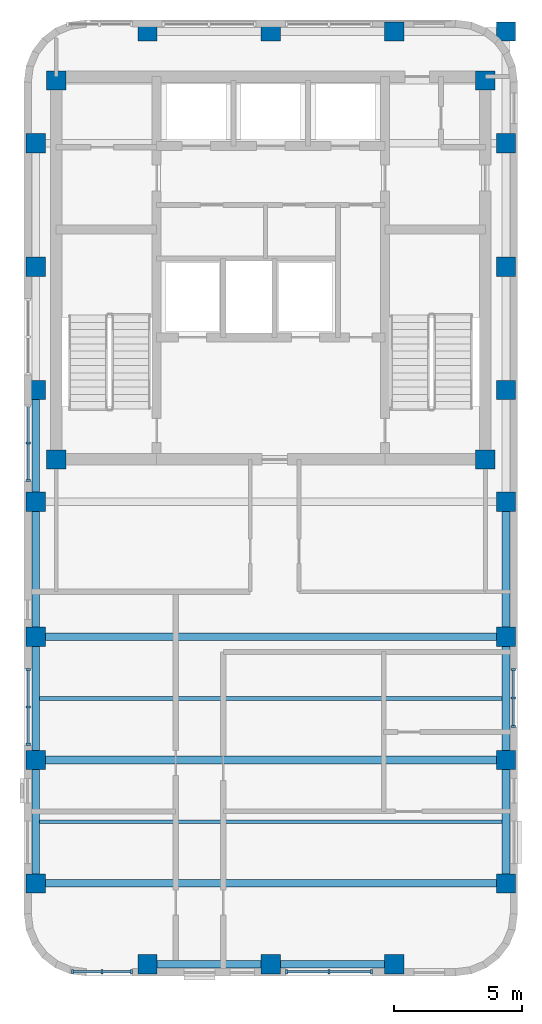
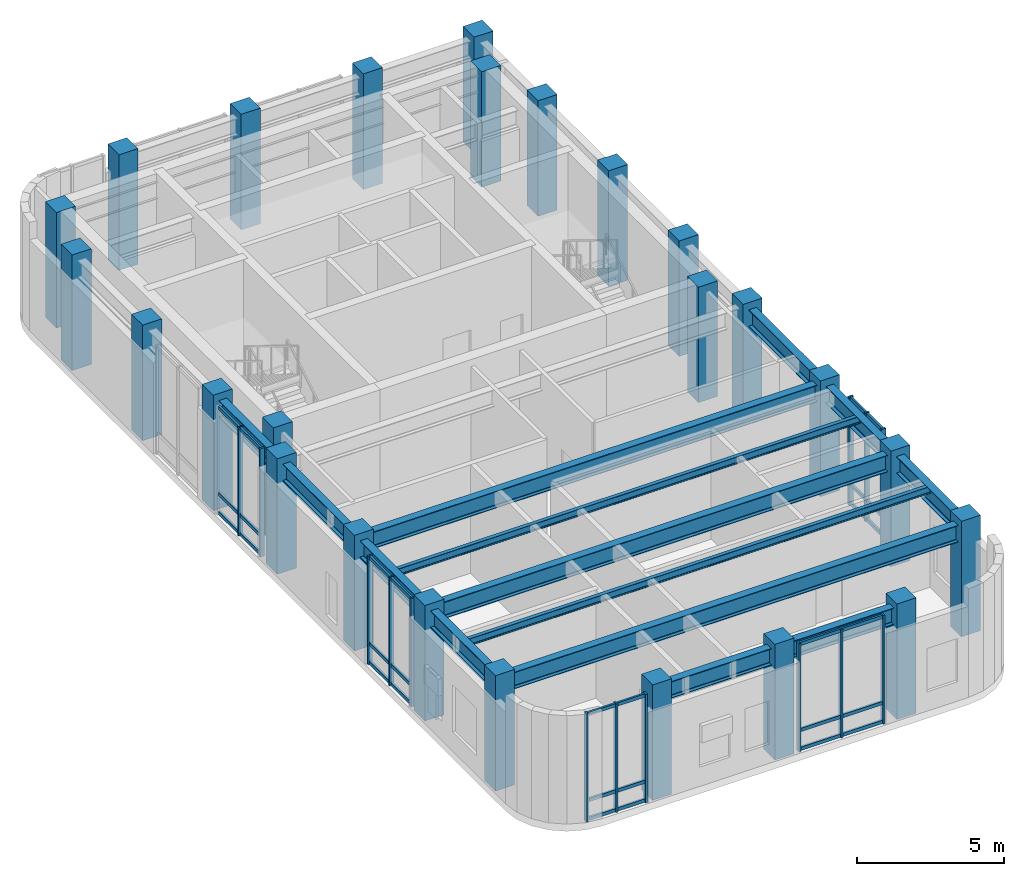
# One storey, part 1 of 8: 44 members, 25 columns, 14 beams, 5 elements without a shape of their own.
"""IFC4 building model written with IfcOpenShell, lengths in metres."""

from ifc_helpers import new_model, si_unit, direction, frame, origin, origin_2d, place, context, subcontext, project, spatial, rectangle, i_section, extrude, material, material_profile, profile_set, type_object, element, aggregate, save


model = new_model("IFC4")

# Units and contexts
model_context = context("Model", 3, precision=1e-05, world=origin(), true_north=direction((0.0, 1.0)))
body_context = subcontext(model_context, "Body", "Model", "MODEL_VIEW")
ifc_project = project(units=[si_unit("LENGTHUNIT", "METRE"), si_unit("AREAUNIT", "SQUARE_METRE"), si_unit("VOLUMEUNIT", "CUBIC_METRE"), si_unit("PLANEANGLEUNIT", "RADIAN"), si_unit("MASSUNIT", "GRAM", prefix="KILO")], contexts=[model_context])

# Site, building, storey
site_placement = place(None, origin())
site = spatial("IfcSite", under=ifc_project, at=site_placement, CompositionType="ELEMENT")
building_placement = place(site_placement, origin())
building = spatial("IfcBuilding", under=site, at=building_placement, Name="Orvandelia Arch Residences", CompositionType="ELEMENT")
storey_placement = place(building_placement, frame((0.0, 0.0, 291.39990234375)))
storey = spatial("IfcBuildingStorey", under=building, at=storey_placement, Name="L75", CompositionType="ELEMENT", Elevation=291.39990234375)

# Columns
ifc_material_1 = material(Name="Concrete C50/60", Category="concrete")
ifc_material_profile_1 = material_profile(ifc_material_1, rectangle(XDim=0.75, YDim=0.75, at=origin_2d()), Name="Concrete C50/60", Category="concrete")
ifc_profile_set_1 = profile_set([ifc_material_profile_1], Name="Concrete C50/60")
column_type = type_object("IfcColumnType", Name="COL-TWR-750", PredefinedType="COLUMN", material=ifc_profile_set_1)
for number, where, z_axis, x_axis, name in (
    (1, (5.25, 14.39990234375, 0.0), (0.0, 0.0, 1.0), (1.0, 0.0, 0.0), "Structural Column L75-W-W-144"),
    (2, (5.25, 19.199951171875, 0.0), (0.0, 0.0, 1.0), (1.0, 0.0, 0.0), "Structural Column L75-W-W-192"),
    (3, (5.25, 24.0, 0.0), (0.0, 0.0, 1.0), (1.0, 0.0, 0.0), "Structural Column L75-W-W-240"),
    (4, (5.25, 29.25, 0.0), (0.0, 0.0, 1.0), (1.0, 0.0, 0.0), "Structural Column L75-W-W-292"),
    (5, (5.25, 33.60009765625, 0.0), (0.0, 0.0, 1.0), (1.0, 0.0, 0.0), "Structural Column L75-W-W-336"),
    (6, (5.25, 38.39990234375, 0.0), (0.0, 0.0, 1.0), (1.0, 0.0, 0.0), "Structural Column L75-W-W-384"),
    (7, (5.25, 43.199951171875, 0.0), (0.0, 0.0, 1.0), (1.0, 0.0, 0.0), "Structural Column L75-W-W-432"),
    (8, (6.050048828125, 30.89990234375, 0.0), (0.0, 0.0, 1.0), (1.0, 0.0, 0.0), "Structural Column L75-CR-SW"),
    (9, (6.050048828125, 45.64990234375, 0.0), (0.0, 0.0, 1.0), (1.0, 0.0, 0.0), "Structural Column L75-CR-NW"),
    (10, (9.60009765625, 11.25, 0.0), (0.0, 0.0, 1.0), (1.0, 0.0, 0.0), "Structural Column L75-W-S-96"),
    (11, (9.60009765625, 47.550048828125, 0.0), (0.0, 0.0, 1.0), (1.0, 0.0, 0.0), "Structural Column L75-W-N-96"),
    (12, (14.39990234375, 11.25, 0.0), (0.0, 0.0, 1.0), (1.0, 0.0, 0.0), "Structural Column L75-W-S-144"),
    (13, (14.39990234375, 47.550048828125, 0.0), (0.0, 0.0, 1.0), (1.0, 0.0, 0.0), "Structural Column L75-W-N-144"),
    (14, (19.199951171875, 11.25, 0.0), (0.0, 0.0, 1.0), (1.0, 0.0, 0.0), "Structural Column L75-W-S-192"),
    (15, (19.199951171875, 47.550048828125, 0.0), (0.0, 0.0, 1.0), (1.0, 0.0, 0.0), "Structural Column L75-W-N-192"),
    (16, (22.75, 30.89990234375, 0.0), (0.0, 0.0, 1.0), (1.0, 0.0, 0.0), "Structural Column L75-CR-SE"),
    (17, (22.75, 45.64990234375, 0.0), (0.0, 0.0, 1.0), (1.0, 0.0, 0.0), "Structural Column L75-CR-NE"),
    (18, (23.550048828125, 14.39990234375, 0.0), (0.0, 0.0, 1.0), (1.0, 0.0, 0.0), "Structural Column L75-W-E-144"),
    (19, (23.550048828125, 19.199951171875, 0.0), (0.0, 0.0, 1.0), (1.0, 0.0, 0.0), "Structural Column L75-W-E-192"),
    (20, (23.550048828125, 24.0, 0.0), (0.0, 0.0, 1.0), (1.0, 0.0, 0.0), "Structural Column L75-W-E-240"),
    (21, (23.550048828125, 29.25, 0.0), (0.0, 0.0, 1.0), (1.0, 0.0, 0.0), "Structural Column L75-W-E-292"),
    (22, (23.550048828125, 33.60009765625, 0.0), (0.0, 0.0, 1.0), (1.0, 0.0, 0.0), "Structural Column L75-W-E-336"),
    (23, (23.550048828125, 38.39990234375, 0.0), (0.0, 0.0, 1.0), (1.0, 0.0, 0.0), "Structural Column L75-W-E-384"),
    (24, (23.550048828125, 43.199951171875, 0.0), (0.0, 0.0, 1.0), (1.0, 0.0, 0.0), "Structural Column L75-W-E-432"),
    (25, (23.550048828125, 47.550048828125, 0.0), (0.0, 0.0, 1.0), (1.0, 0.0, 0.0), "Structural Column L75-W-N-235"),
):
    element("IfcColumn", number, at=place(storey_placement, frame(where, z_axis=z_axis, x_axis=x_axis)), inside=storey, type_object=column_type, Name=name, PredefinedType="COLUMN", context=body_context, shape_type="SweptSolid", body=[
        extrude(rectangle(XDim=0.75, YDim=0.75, at=origin_2d()), origin(), (0.0, 0.0, 1.0), 4.800048828125),
    ])

# Beams
ifc_material_2 = material(Name="Structural Steel SM355 (355 MPa)", Category="steel")
ifc_material_profile_2 = material_profile(ifc_material_2, i_section(OverallWidth=0.300048828125, OverallDepth=0.699951171875, WebThickness=0.012939453125, FlangeThickness=0.02392578125, FilletRadius=0.02392578125, at=origin_2d()), Name="Structural Steel SM355 (355 MPa)", Category="steel")
ifc_profile_set_2 = profile_set([ifc_material_profile_2], Name="Structural Steel SM355 (355 MPa)")
beam_type_1 = type_object("IfcBeamType", Name="BM-GRD-H700", PredefinedType="BEAM", material=ifc_profile_set_2)
for number, where, z_axis, x_axis, name in (
    (26, (5.25, 14.39990234375, 4.150146484375), (0.0, 1.0, 0.0), (-1.0, 0.0, 0.0), "Structural Frame Beam L75-NS-001"),
    (27, (5.25, 19.199951171875, 4.150146484375), (0.0, 1.0, 0.0), (-1.0, 0.0, 0.0), "Structural Frame Beam L75-NS-002"),
):
    element("IfcBeam", number, at=place(storey_placement, frame(where, z_axis=z_axis, x_axis=x_axis)), inside=storey, type_object=beam_type_1, Name=name, PredefinedType="BEAM", context=body_context, shape_type="SweptSolid", body=[
        extrude(i_section(OverallWidth=0.300048828125, OverallDepth=0.699951171875, WebThickness=0.012939453125, FlangeThickness=0.02392578125, FilletRadius=0.02392578125, at=origin_2d()), origin(), (0.0, 0.0, 1.0), 4.800048828125),
    ])
beam_1_placement = place(storey_placement, frame((5.25, 24.0, 4.150146484375), z_axis=(0.0, 1.0, 0.0), x_axis=(-1.0, 0.0, 0.0)))
element("IfcBeam", 28, at=beam_1_placement, inside=storey, type_object=beam_type_1, Name="Structural Frame Beam L75-NS-003", PredefinedType="BEAM", context=body_context, shape_type="SweptSolid", body=[
    extrude(i_section(OverallWidth=0.300048828125, OverallDepth=0.699951171875, WebThickness=0.012939453125, FlangeThickness=0.02392578125, FilletRadius=0.02392578125, at=origin_2d()), origin(), (0.0, 0.0, 1.0), 5.25),
])
beam_2_placement = place(storey_placement, frame((5.25, 29.25, 4.150146484375), z_axis=(0.0, 1.0, 0.0), x_axis=(-1.0, 0.0, 0.0)))
element("IfcBeam", 29, at=beam_2_placement, inside=storey, type_object=beam_type_1, Name="Structural Frame Beam L75-NS-004", PredefinedType="BEAM", context=body_context, shape_type="SweptSolid", body=[
    extrude(i_section(OverallWidth=0.300048828125, OverallDepth=0.699951171875, WebThickness=0.012939453125, FlangeThickness=0.02392578125, FilletRadius=0.02392578125, at=origin_2d()), origin(), (0.0, 0.0, 1.0), 4.35009765625),
])
for number, where, z_axis, x_axis, name in (
    (30, (23.550048828125, 14.39990234375, 4.150146484375), (0.0, 1.0, 0.0), (-1.0, 0.0, 0.0), "Structural Frame Beam L75-NS-009"),
    (31, (23.550048828125, 19.199951171875, 4.150146484375), (0.0, 1.0, 0.0), (-1.0, 0.0, 0.0), "Structural Frame Beam L75-NS-010"),
):
    element("IfcBeam", number, at=place(storey_placement, frame(where, z_axis=z_axis, x_axis=x_axis)), inside=storey, type_object=beam_type_1, Name=name, PredefinedType="BEAM", context=body_context, shape_type="SweptSolid", body=[
        extrude(i_section(OverallWidth=0.300048828125, OverallDepth=0.699951171875, WebThickness=0.012939453125, FlangeThickness=0.02392578125, FilletRadius=0.02392578125, at=origin_2d()), origin(), (0.0, 0.0, 1.0), 4.800048828125),
    ])
beam_3_placement = place(storey_placement, frame((23.550048828125, 24.0, 4.150146484375), z_axis=(0.0, 1.0, 0.0), x_axis=(-1.0, 0.0, 0.0)))
element("IfcBeam", 32, at=beam_3_placement, inside=storey, type_object=beam_type_1, Name="Structural Frame Beam L75-NS-011", PredefinedType="BEAM", context=body_context, shape_type="SweptSolid", body=[
    extrude(i_section(OverallWidth=0.300048828125, OverallDepth=0.699951171875, WebThickness=0.012939453125, FlangeThickness=0.02392578125, FilletRadius=0.02392578125, at=origin_2d()), origin(), (0.0, 0.0, 1.0), 5.25),
])
beam_4_placement = place(storey_placement, frame((9.60009765625, 11.25, 4.150146484375), z_axis=(1.0, 0.0, 0.0), x_axis=(0.0, 1.0, 0.0)))
element("IfcBeam", 33, at=beam_4_placement, inside=storey, type_object=beam_type_1, Name="Structural Frame Girder L75-EW-016", PredefinedType="BEAM", context=body_context, shape_type="SweptSolid", body=[
    extrude(i_section(OverallWidth=0.300048828125, OverallDepth=0.699951171875, WebThickness=0.012939453125, FlangeThickness=0.02392578125, FilletRadius=0.02392578125, at=origin_2d()), origin(), (0.0, 0.0, 1.0), 4.7998046875),
])
beam_5_placement = place(storey_placement, frame((14.39990234375, 11.25, 4.150146484375), z_axis=(1.0, 0.0, 0.0), x_axis=(0.0, 1.0, 0.0)))
element("IfcBeam", 34, at=beam_5_placement, inside=storey, type_object=beam_type_1, Name="Structural Frame Girder L75-EW-017", PredefinedType="BEAM", context=body_context, shape_type="SweptSolid", body=[
    extrude(i_section(OverallWidth=0.300048828125, OverallDepth=0.699951171875, WebThickness=0.012939453125, FlangeThickness=0.02392578125, FilletRadius=0.02392578125, at=origin_2d()), origin(), (0.0, 0.0, 1.0), 4.800048828125),
])
for number, where, z_axis, x_axis, name in (
    (35, (5.25, 14.39990234375, 4.150146484375), (1.0, 0.0, 0.0), (0.0, 1.0, 0.0), "Structural Frame Girder L75-EW-018"),
    (36, (5.25, 19.199951171875, 4.150146484375), (1.0, 0.0, 0.0), (0.0, 1.0, 0.0), "Structural Frame Girder L75-EW-019"),
    (37, (5.25, 24.0, 4.150146484375), (1.0, 0.0, 0.0), (0.0, 1.0, 0.0), "Structural Frame Girder L75-EW-020"),
):
    element("IfcBeam", number, at=place(storey_placement, frame(where, z_axis=z_axis, x_axis=x_axis)), inside=storey, type_object=beam_type_1, Name=name, PredefinedType="BEAM", context=body_context, shape_type="SweptSolid", body=[
        extrude(i_section(OverallWidth=0.300048828125, OverallDepth=0.699951171875, WebThickness=0.012939453125, FlangeThickness=0.02392578125, FilletRadius=0.02392578125, at=origin_2d()), origin(), (0.0, 0.0, 1.0), 18.300048828125),
    ])
ifc_material_profile_3 = material_profile(ifc_material_2, i_section(OverallWidth=0.14990234375, OverallDepth=0.300048828125, WebThickness=0.006591796875, FlangeThickness=0.009033203125, FilletRadius=0.012939453125, at=origin_2d()), Name="Structural Steel SM355 (355 MPa)", Category="steel")
ifc_profile_set_3 = profile_set([ifc_material_profile_3], Name="Structural Steel SM355 (355 MPa)")
beam_type_2 = type_object("IfcBeamType", Name="BM-JST-H300", PredefinedType="JOIST", material=ifc_profile_set_3)
for number, where, z_axis, x_axis, name in (
    (38, (5.25, 16.800048828125, 4.35009765625), (1.0, 0.0, 0.0), (0.0, 1.0, 0.0), "Composite Floor Joist L75-J1"),
    (39, (5.25, 21.60009765625, 4.35009765625), (1.0, 0.0, 0.0), (0.0, 1.0, 0.0), "Composite Floor Joist L75-J2"),
):
    element("IfcBeam", number, at=place(storey_placement, frame(where, z_axis=z_axis, x_axis=x_axis)), inside=storey, type_object=beam_type_2, Name=name, PredefinedType="JOIST", context=body_context, shape_type="SweptSolid", body=[
        extrude(i_section(OverallWidth=0.14990234375, OverallDepth=0.300048828125, WebThickness=0.006591796875, FlangeThickness=0.009033203125, FilletRadius=0.012939453125, at=origin_2d()), origin(), (0.0, 0.0, 1.0), 18.300048828125),
    ])

# Curtain wall, members
ifc_material_3 = material(Name="Anodised Bronze Curtain Wall Assembly")
curtain_wall_type = type_object("IfcCurtainWallType", Name="CW-SYS6-OBSERV", PredefinedType="NOTDEFINED", material=ifc_material_3)
curtain_wall_1_placement = place(storey_placement, origin())
curtain_wall_1 = element("IfcCurtainWall", 40, at=curtain_wall_1_placement, inside=storey, type_object=curtain_wall_type, Name="Observatory South Curtain Wall 1", PredefinedType="NOTDEFINED")
ifc_material_4 = material(Name="Anodised Aluminium Alloy 6063-T6", Category="aluminium")
ifc_material_profile_4 = material_profile(ifc_material_4, rectangle(XDim=0.080078125, YDim=0.179931640625, at=origin_2d()), Name="Anodised Aluminium Alloy 6063-T6", Category="aluminium")
ifc_profile_set_4 = profile_set([ifc_material_profile_4], Name="Anodised Aluminium Alloy 6063-T6")
member_type_1 = type_object("IfcMemberType", Name="CW-MULLION-80x160", PredefinedType="MULLION", material=ifc_profile_set_4)
member_1_placement = place(storey_placement, frame((6.679931640625, 10.9599609375, 0.0), z_axis=(0.0, 0.0, 1.0), x_axis=(1.0, 0.0, 0.0)))
member_1 = element("IfcMember", 41, at=member_1_placement, type_object=member_type_1, Name="Curtain Wall Mullion CW-L75-1-M1", PredefinedType="MULLION", context=body_context, shape_type="SweptSolid", body=[
    extrude(rectangle(XDim=0.080078125, YDim=0.179931640625, at=origin_2d()), origin(), (0.0, 0.0, 1.0), 4.5),
])
member_2_placement = place(storey_placement, frame((7.83251953125, 10.9599609375, 0.0), z_axis=(0.0, 0.0, 1.0), x_axis=(1.0, 0.0, 0.0)))
member_2 = element("IfcMember", 42, at=member_2_placement, type_object=member_type_1, Name="Curtain Wall Mullion CW-L75-1-M2", PredefinedType="MULLION", context=body_context, shape_type="SweptSolid", body=[
    extrude(rectangle(XDim=0.080078125, YDim=0.179931640625, at=origin_2d()), origin(), (0.0, 0.0, 1.0), 4.5),
])
member_3_placement = place(storey_placement, frame((8.985107421875, 10.9599609375, 0.0), z_axis=(0.0, 0.0, 1.0), x_axis=(1.0, 0.0, 0.0)))
member_3 = element("IfcMember", 43, at=member_3_placement, type_object=member_type_1, Name="Curtain Wall Mullion CW-L75-1-M3", PredefinedType="MULLION", context=body_context, shape_type="SweptSolid", body=[
    extrude(rectangle(XDim=0.080078125, YDim=0.179931640625, at=origin_2d()), origin(), (0.0, 0.0, 1.0), 4.5),
])

curtain_wall_2_placement = place(storey_placement, origin())
curtain_wall_2 = element("IfcCurtainWall", 44, at=curtain_wall_2_placement, inside=storey, type_object=curtain_wall_type, Name="Observatory South Curtain Wall 2", PredefinedType="NOTDEFINED")
member_4_placement = place(storey_placement, frame((15.014892578125, 10.9599609375, 0.0), z_axis=(0.0, 0.0, 1.0), x_axis=(1.0, 0.0, 0.0)))
member_4 = element("IfcMember", 45, at=member_4_placement, type_object=member_type_1, Name="Curtain Wall Mullion CW-L75-2-M1", PredefinedType="MULLION", context=body_context, shape_type="SweptSolid", body=[
    extrude(rectangle(XDim=0.080078125, YDim=0.179931640625, at=origin_2d()), origin(), (0.0, 0.0, 1.0), 4.5),
])
member_5_placement = place(storey_placement, frame((16.66748046875, 10.9599609375, 0.0), z_axis=(0.0, 0.0, 1.0), x_axis=(1.0, 0.0, 0.0)))
member_5 = element("IfcMember", 46, at=member_5_placement, type_object=member_type_1, Name="Curtain Wall Mullion CW-L75-2-M2", PredefinedType="MULLION", context=body_context, shape_type="SweptSolid", body=[
    extrude(rectangle(XDim=0.080078125, YDim=0.179931640625, at=origin_2d()), origin(), (0.0, 0.0, 1.0), 4.5),
])
member_6_placement = place(storey_placement, frame((18.320068359375, 10.9599609375, 0.0), z_axis=(0.0, 0.0, 1.0), x_axis=(1.0, 0.0, 0.0)))
member_6 = element("IfcMember", 47, at=member_6_placement, type_object=member_type_1, Name="Curtain Wall Mullion CW-L75-2-M3", PredefinedType="MULLION", context=body_context, shape_type="SweptSolid", body=[
    extrude(rectangle(XDim=0.080078125, YDim=0.179931640625, at=origin_2d()), origin(), (0.0, 0.0, 1.0), 4.5),
])

curtain_wall_3_placement = place(storey_placement, origin())
curtain_wall_3 = element("IfcCurtainWall", 48, at=curtain_wall_3_placement, inside=storey, type_object=curtain_wall_type, Name="Observatory West Curtain Wall 3", PredefinedType="NOTDEFINED")
member_7_placement = place(storey_placement, frame((4.9599609375, 19.81494140625, 0.0), z_axis=(0.0, 0.0, 1.0), x_axis=(0.0, 1.0, 0.0)))
member_7 = element("IfcMember", 49, at=member_7_placement, type_object=member_type_1, Name="Curtain Wall Mullion CW-L75-3-M1", PredefinedType="MULLION", context=body_context, shape_type="SweptSolid", body=[
    extrude(rectangle(XDim=0.080078125, YDim=0.179931640625, at=origin_2d()), origin(), (0.0, 0.0, 1.0), 4.5),
])
member_8_placement = place(storey_placement, frame((4.9599609375, 21.267578125, 0.0), z_axis=(0.0, 0.0, 1.0), x_axis=(0.0, 1.0, 0.0)))
member_8 = element("IfcMember", 50, at=member_8_placement, type_object=member_type_1, Name="Curtain Wall Mullion CW-L75-3-M2", PredefinedType="MULLION", context=body_context, shape_type="SweptSolid", body=[
    extrude(rectangle(XDim=0.080078125, YDim=0.179931640625, at=origin_2d()), origin(), (0.0, 0.0, 1.0), 4.5),
])
member_9_placement = place(storey_placement, frame((4.9599609375, 22.719970703125, 0.0), z_axis=(0.0, 0.0, 1.0), x_axis=(0.0, 1.0, 0.0)))
member_9 = element("IfcMember", 51, at=member_9_placement, type_object=member_type_1, Name="Curtain Wall Mullion CW-L75-3-M3", PredefinedType="MULLION", context=body_context, shape_type="SweptSolid", body=[
    extrude(rectangle(XDim=0.080078125, YDim=0.179931640625, at=origin_2d()), origin(), (0.0, 0.0, 1.0), 4.5),
])

curtain_wall_4_placement = place(storey_placement, origin())
curtain_wall_4 = element("IfcCurtainWall", 52, at=curtain_wall_4_placement, inside=storey, type_object=curtain_wall_type, Name="Observatory East Curtain Wall 4", PredefinedType="NOTDEFINED")
member_10_placement = place(storey_placement, frame((23.840087890625, 20.510009765625, 0.0), z_axis=(0.0, 0.0, 1.0), x_axis=(0.0, 1.0, 0.0)))
member_10 = element("IfcMember", 53, at=member_10_placement, type_object=member_type_1, Name="Curtain Wall Mullion CW-L75-4-M1", PredefinedType="MULLION", context=body_context, shape_type="SweptSolid", body=[
    extrude(rectangle(XDim=0.080078125, YDim=0.179931640625, at=origin_2d()), origin(), (0.0, 0.0, 1.0), 4.5),
])
member_11_placement = place(storey_placement, frame((23.840087890625, 21.614990234375, 0.0), z_axis=(0.0, 0.0, 1.0), x_axis=(0.0, 1.0, 0.0)))
member_11 = element("IfcMember", 54, at=member_11_placement, type_object=member_type_1, Name="Curtain Wall Mullion CW-L75-4-M2", PredefinedType="MULLION", context=body_context, shape_type="SweptSolid", body=[
    extrude(rectangle(XDim=0.080078125, YDim=0.179931640625, at=origin_2d()), origin(), (0.0, 0.0, 1.0), 4.5),
])
member_12_placement = place(storey_placement, frame((23.840087890625, 22.719970703125, 0.0), z_axis=(0.0, 0.0, 1.0), x_axis=(0.0, 1.0, 0.0)))
member_12 = element("IfcMember", 55, at=member_12_placement, type_object=member_type_1, Name="Curtain Wall Mullion CW-L75-4-M3", PredefinedType="MULLION", context=body_context, shape_type="SweptSolid", body=[
    extrude(rectangle(XDim=0.080078125, YDim=0.179931640625, at=origin_2d()), origin(), (0.0, 0.0, 1.0), 4.5),
])

curtain_wall_5_placement = place(storey_placement, origin())
curtain_wall_5 = element("IfcCurtainWall", 56, at=curtain_wall_5_placement, inside=storey, type_object=curtain_wall_type, Name="Observatory Upper West Curtain Wall 8", PredefinedType="NOTDEFINED")
member_13_placement = place(storey_placement, frame((4.9599609375, 30.080078125, 0.0), z_axis=(0.0, 0.0, 1.0), x_axis=(0.0, 1.0, 0.0)))
member_13 = element("IfcMember", 57, at=member_13_placement, type_object=member_type_1, Name="Curtain Wall Mullion CW-L75-8-M1", PredefinedType="MULLION", context=body_context, shape_type="SweptSolid", body=[
    extrude(rectangle(XDim=0.080078125, YDim=0.179931640625, at=origin_2d()), origin(), (0.0, 0.0, 1.0), 4.5),
])
member_14_placement = place(storey_placement, frame((4.9599609375, 31.532470703125, 0.0), z_axis=(0.0, 0.0, 1.0), x_axis=(0.0, 1.0, 0.0)))
member_14 = element("IfcMember", 58, at=member_14_placement, type_object=member_type_1, Name="Curtain Wall Mullion CW-L75-8-M2", PredefinedType="MULLION", context=body_context, shape_type="SweptSolid", body=[
    extrude(rectangle(XDim=0.080078125, YDim=0.179931640625, at=origin_2d()), origin(), (0.0, 0.0, 1.0), 4.5),
])

# Member
ifc_material_profile_5 = material_profile(ifc_material_4, rectangle(XDim=0.080078125, YDim=0.139892578125, at=origin_2d()), Name="Anodised Aluminium Alloy 6063-T6", Category="aluminium")
ifc_profile_set_5 = profile_set([ifc_material_profile_5], Name="Anodised Aluminium Alloy 6063-T6")
member_type_2 = type_object("IfcMemberType", Name="CW-TRANSOM-80x140", PredefinedType="USERDEFINED", material=ifc_profile_set_5)
member_15_placement = place(storey_placement, frame((6.705078125, 10.9599609375, 0.070068359375), z_axis=(1.0, 0.0, 0.0), x_axis=(0.0, 1.0, 0.0)))
member_15 = element("IfcMember", 59, at=member_15_placement, type_object=member_type_2, Name="Curtain Wall Transom CW-L75-1-T1-1", ObjectType="TRANSOM", PredefinedType="USERDEFINED", context=body_context, shape_type="SweptSolid", body=[
    extrude(rectangle(XDim=0.080078125, YDim=0.139892578125, at=origin_2d()), origin(), (0.0, 0.0, 1.0), 1.1025390625),
])

member_16_placement = place(storey_placement, frame((6.705078125, 10.9599609375, 0.85009765625), z_axis=(1.0, 0.0, 0.0), x_axis=(0.0, 1.0, 0.0)))
member_16 = element("IfcMember", 60, at=member_16_placement, type_object=member_type_2, Name="Curtain Wall Transom CW-L75-1-T1-2", ObjectType="TRANSOM", PredefinedType="USERDEFINED", context=body_context, shape_type="SweptSolid", body=[
    extrude(rectangle(XDim=0.080078125, YDim=0.139892578125, at=origin_2d()), origin(), (0.0, 0.0, 1.0), 1.1025390625),
])

member_17_placement = place(storey_placement, frame((6.705078125, 10.9599609375, 4.43017578125), z_axis=(1.0, 0.0, 0.0), x_axis=(0.0, 1.0, 0.0)))
member_17 = element("IfcMember", 61, at=member_17_placement, type_object=member_type_2, Name="Curtain Wall Transom CW-L75-1-T1-3", ObjectType="TRANSOM", PredefinedType="USERDEFINED", context=body_context, shape_type="SweptSolid", body=[
    extrude(rectangle(XDim=0.080078125, YDim=0.139892578125, at=origin_2d()), origin(), (0.0, 0.0, 1.0), 1.1025390625),
])

member_18_placement = place(storey_placement, frame((7.857421875, 10.9599609375, 0.070068359375), z_axis=(1.0, 0.0, 0.0), x_axis=(0.0, 1.0, 0.0)))
member_18 = element("IfcMember", 62, at=member_18_placement, type_object=member_type_2, Name="Curtain Wall Transom CW-L75-1-T2-1", ObjectType="TRANSOM", PredefinedType="USERDEFINED", context=body_context, shape_type="SweptSolid", body=[
    extrude(rectangle(XDim=0.080078125, YDim=0.139892578125, at=origin_2d()), origin(), (0.0, 0.0, 1.0), 1.1025390625),
])

member_19_placement = place(storey_placement, frame((7.857421875, 10.9599609375, 0.85009765625), z_axis=(1.0, 0.0, 0.0), x_axis=(0.0, 1.0, 0.0)))
member_19 = element("IfcMember", 63, at=member_19_placement, type_object=member_type_2, Name="Curtain Wall Transom CW-L75-1-T2-2", ObjectType="TRANSOM", PredefinedType="USERDEFINED", context=body_context, shape_type="SweptSolid", body=[
    extrude(rectangle(XDim=0.080078125, YDim=0.139892578125, at=origin_2d()), origin(), (0.0, 0.0, 1.0), 1.1025390625),
])

member_20_placement = place(storey_placement, frame((7.857421875, 10.9599609375, 4.43017578125), z_axis=(1.0, 0.0, 0.0), x_axis=(0.0, 1.0, 0.0)))
member_20 = element("IfcMember", 64, at=member_20_placement, type_object=member_type_2, Name="Curtain Wall Transom CW-L75-1-T2-3", ObjectType="TRANSOM", PredefinedType="USERDEFINED", context=body_context, shape_type="SweptSolid", body=[
    extrude(rectangle(XDim=0.080078125, YDim=0.139892578125, at=origin_2d()), origin(), (0.0, 0.0, 1.0), 1.1025390625),
])

aggregate(curtain_wall_1, [member_1, member_2, member_3, member_15, member_16, member_17, member_18, member_19, member_20])

member_21_placement = place(storey_placement, frame((15.0400390625, 10.9599609375, 0.070068359375), z_axis=(1.0, 0.0, 0.0), x_axis=(0.0, 1.0, 0.0)))
member_21 = element("IfcMember", 65, at=member_21_placement, type_object=member_type_2, Name="Curtain Wall Transom CW-L75-2-T1-1", ObjectType="TRANSOM", PredefinedType="USERDEFINED", context=body_context, shape_type="SweptSolid", body=[
    extrude(rectangle(XDim=0.080078125, YDim=0.139892578125, at=origin_2d()), origin(), (0.0, 0.0, 1.0), 1.6025390625),
])

member_22_placement = place(storey_placement, frame((15.0400390625, 10.9599609375, 0.85009765625), z_axis=(1.0, 0.0, 0.0), x_axis=(0.0, 1.0, 0.0)))
member_22 = element("IfcMember", 66, at=member_22_placement, type_object=member_type_2, Name="Curtain Wall Transom CW-L75-2-T1-2", ObjectType="TRANSOM", PredefinedType="USERDEFINED", context=body_context, shape_type="SweptSolid", body=[
    extrude(rectangle(XDim=0.080078125, YDim=0.139892578125, at=origin_2d()), origin(), (0.0, 0.0, 1.0), 1.6025390625),
])

member_23_placement = place(storey_placement, frame((15.0400390625, 10.9599609375, 4.43017578125), z_axis=(1.0, 0.0, 0.0), x_axis=(0.0, 1.0, 0.0)))
member_23 = element("IfcMember", 67, at=member_23_placement, type_object=member_type_2, Name="Curtain Wall Transom CW-L75-2-T1-3", ObjectType="TRANSOM", PredefinedType="USERDEFINED", context=body_context, shape_type="SweptSolid", body=[
    extrude(rectangle(XDim=0.080078125, YDim=0.139892578125, at=origin_2d()), origin(), (0.0, 0.0, 1.0), 1.6025390625),
])

member_24_placement = place(storey_placement, frame((16.6923828125, 10.9599609375, 0.070068359375), z_axis=(1.0, 0.0, 0.0), x_axis=(0.0, 1.0, 0.0)))
member_24 = element("IfcMember", 68, at=member_24_placement, type_object=member_type_2, Name="Curtain Wall Transom CW-L75-2-T2-1", ObjectType="TRANSOM", PredefinedType="USERDEFINED", context=body_context, shape_type="SweptSolid", body=[
    extrude(rectangle(XDim=0.080078125, YDim=0.139892578125, at=origin_2d()), origin(), (0.0, 0.0, 1.0), 1.6025390625),
])

member_25_placement = place(storey_placement, frame((16.6923828125, 10.9599609375, 0.85009765625), z_axis=(1.0, 0.0, 0.0), x_axis=(0.0, 1.0, 0.0)))
member_25 = element("IfcMember", 69, at=member_25_placement, type_object=member_type_2, Name="Curtain Wall Transom CW-L75-2-T2-2", ObjectType="TRANSOM", PredefinedType="USERDEFINED", context=body_context, shape_type="SweptSolid", body=[
    extrude(rectangle(XDim=0.080078125, YDim=0.139892578125, at=origin_2d()), origin(), (0.0, 0.0, 1.0), 1.6025390625),
])

member_26_placement = place(storey_placement, frame((16.6923828125, 10.9599609375, 4.43017578125), z_axis=(1.0, 0.0, 0.0), x_axis=(0.0, 1.0, 0.0)))
member_26 = element("IfcMember", 70, at=member_26_placement, type_object=member_type_2, Name="Curtain Wall Transom CW-L75-2-T2-3", ObjectType="TRANSOM", PredefinedType="USERDEFINED", context=body_context, shape_type="SweptSolid", body=[
    extrude(rectangle(XDim=0.080078125, YDim=0.139892578125, at=origin_2d()), origin(), (0.0, 0.0, 1.0), 1.6025390625),
])

aggregate(curtain_wall_2, [member_4, member_5, member_6, member_21, member_22, member_23, member_24, member_25, member_26])

member_27_placement = place(storey_placement, frame((4.9599609375, 19.840087890625, 0.070068359375), z_axis=(0.0, 1.0, 0.0), x_axis=(-1.0, 0.0, 0.0)))
member_27 = element("IfcMember", 71, at=member_27_placement, type_object=member_type_2, Name="Curtain Wall Transom CW-L75-3-T1-1", ObjectType="TRANSOM", PredefinedType="USERDEFINED", context=body_context, shape_type="SweptSolid", body=[
    extrude(rectangle(XDim=0.080078125, YDim=0.139892578125, at=origin_2d()), origin(), (0.0, 0.0, 1.0), 1.40234375),
])

member_28_placement = place(storey_placement, frame((4.9599609375, 19.840087890625, 0.85009765625), z_axis=(0.0, 1.0, 0.0), x_axis=(-1.0, 0.0, 0.0)))
member_28 = element("IfcMember", 72, at=member_28_placement, type_object=member_type_2, Name="Curtain Wall Transom CW-L75-3-T1-2", ObjectType="TRANSOM", PredefinedType="USERDEFINED", context=body_context, shape_type="SweptSolid", body=[
    extrude(rectangle(XDim=0.080078125, YDim=0.139892578125, at=origin_2d()), origin(), (0.0, 0.0, 1.0), 1.40234375),
])

member_29_placement = place(storey_placement, frame((4.9599609375, 19.840087890625, 4.43017578125), z_axis=(0.0, 1.0, 0.0), x_axis=(-1.0, 0.0, 0.0)))
member_29 = element("IfcMember", 73, at=member_29_placement, type_object=member_type_2, Name="Curtain Wall Transom CW-L75-3-T1-3", ObjectType="TRANSOM", PredefinedType="USERDEFINED", context=body_context, shape_type="SweptSolid", body=[
    extrude(rectangle(XDim=0.080078125, YDim=0.139892578125, at=origin_2d()), origin(), (0.0, 0.0, 1.0), 1.40234375),
])

member_30_placement = place(storey_placement, frame((4.9599609375, 21.29248046875, 0.070068359375), z_axis=(0.0, 1.0, 0.0), x_axis=(-1.0, 0.0, 0.0)))
member_30 = element("IfcMember", 74, at=member_30_placement, type_object=member_type_2, Name="Curtain Wall Transom CW-L75-3-T2-1", ObjectType="TRANSOM", PredefinedType="USERDEFINED", context=body_context, shape_type="SweptSolid", body=[
    extrude(rectangle(XDim=0.080078125, YDim=0.139892578125, at=origin_2d()), origin(), (0.0, 0.0, 1.0), 1.402587890625),
])

member_31_placement = place(storey_placement, frame((4.9599609375, 21.29248046875, 0.85009765625), z_axis=(0.0, 1.0, 0.0), x_axis=(-1.0, 0.0, 0.0)))
member_31 = element("IfcMember", 75, at=member_31_placement, type_object=member_type_2, Name="Curtain Wall Transom CW-L75-3-T2-2", ObjectType="TRANSOM", PredefinedType="USERDEFINED", context=body_context, shape_type="SweptSolid", body=[
    extrude(rectangle(XDim=0.080078125, YDim=0.139892578125, at=origin_2d()), origin(), (0.0, 0.0, 1.0), 1.402587890625),
])

member_32_placement = place(storey_placement, frame((4.9599609375, 21.29248046875, 4.43017578125), z_axis=(0.0, 1.0, 0.0), x_axis=(-1.0, 0.0, 0.0)))
member_32 = element("IfcMember", 76, at=member_32_placement, type_object=member_type_2, Name="Curtain Wall Transom CW-L75-3-T2-3", ObjectType="TRANSOM", PredefinedType="USERDEFINED", context=body_context, shape_type="SweptSolid", body=[
    extrude(rectangle(XDim=0.080078125, YDim=0.139892578125, at=origin_2d()), origin(), (0.0, 0.0, 1.0), 1.402587890625),
])

aggregate(curtain_wall_3, [member_7, member_8, member_9, member_27, member_28, member_29, member_30, member_31, member_32])

member_33_placement = place(storey_placement, frame((23.840087890625, 20.534912109375, 0.070068359375), z_axis=(0.0, 1.0, 0.0), x_axis=(-1.0, 0.0, 0.0)))
member_33 = element("IfcMember", 77, at=member_33_placement, type_object=member_type_2, Name="Curtain Wall Transom CW-L75-4-T1-1", ObjectType="TRANSOM", PredefinedType="USERDEFINED", context=body_context, shape_type="SweptSolid", body=[
    extrude(rectangle(XDim=0.080078125, YDim=0.139892578125, at=origin_2d()), origin(), (0.0, 0.0, 1.0), 1.05517578125),
])

member_34_placement = place(storey_placement, frame((23.840087890625, 20.534912109375, 0.85009765625), z_axis=(0.0, 1.0, 0.0), x_axis=(-1.0, 0.0, 0.0)))
member_34 = element("IfcMember", 78, at=member_34_placement, type_object=member_type_2, Name="Curtain Wall Transom CW-L75-4-T1-2", ObjectType="TRANSOM", PredefinedType="USERDEFINED", context=body_context, shape_type="SweptSolid", body=[
    extrude(rectangle(XDim=0.080078125, YDim=0.139892578125, at=origin_2d()), origin(), (0.0, 0.0, 1.0), 1.05517578125),
])

member_35_placement = place(storey_placement, frame((23.840087890625, 20.534912109375, 4.43017578125), z_axis=(0.0, 1.0, 0.0), x_axis=(-1.0, 0.0, 0.0)))
member_35 = element("IfcMember", 79, at=member_35_placement, type_object=member_type_2, Name="Curtain Wall Transom CW-L75-4-T1-3", ObjectType="TRANSOM", PredefinedType="USERDEFINED", context=body_context, shape_type="SweptSolid", body=[
    extrude(rectangle(XDim=0.080078125, YDim=0.139892578125, at=origin_2d()), origin(), (0.0, 0.0, 1.0), 1.05517578125),
])

member_36_placement = place(storey_placement, frame((23.840087890625, 21.639892578125, 0.070068359375), z_axis=(0.0, 1.0, 0.0), x_axis=(-1.0, 0.0, 0.0)))
member_36 = element("IfcMember", 80, at=member_36_placement, type_object=member_type_2, Name="Curtain Wall Transom CW-L75-4-T2-1", ObjectType="TRANSOM", PredefinedType="USERDEFINED", context=body_context, shape_type="SweptSolid", body=[
    extrude(rectangle(XDim=0.080078125, YDim=0.139892578125, at=origin_2d()), origin(), (0.0, 0.0, 1.0), 1.05517578125),
])

member_37_placement = place(storey_placement, frame((23.840087890625, 21.639892578125, 0.85009765625), z_axis=(0.0, 1.0, 0.0), x_axis=(-1.0, 0.0, 0.0)))
member_37 = element("IfcMember", 81, at=member_37_placement, type_object=member_type_2, Name="Curtain Wall Transom CW-L75-4-T2-2", ObjectType="TRANSOM", PredefinedType="USERDEFINED", context=body_context, shape_type="SweptSolid", body=[
    extrude(rectangle(XDim=0.080078125, YDim=0.139892578125, at=origin_2d()), origin(), (0.0, 0.0, 1.0), 1.05517578125),
])

member_38_placement = place(storey_placement, frame((23.840087890625, 21.639892578125, 4.43017578125), z_axis=(0.0, 1.0, 0.0), x_axis=(-1.0, 0.0, 0.0)))
member_38 = element("IfcMember", 82, at=member_38_placement, type_object=member_type_2, Name="Curtain Wall Transom CW-L75-4-T2-3", ObjectType="TRANSOM", PredefinedType="USERDEFINED", context=body_context, shape_type="SweptSolid", body=[
    extrude(rectangle(XDim=0.080078125, YDim=0.139892578125, at=origin_2d()), origin(), (0.0, 0.0, 1.0), 1.05517578125),
])

aggregate(curtain_wall_4, [member_10, member_11, member_12, member_33, member_34, member_35, member_36, member_37, member_38])

member_39_placement = place(storey_placement, frame((4.9599609375, 30.10498046875, 0.070068359375), z_axis=(0.0, 1.0, 0.0), x_axis=(-1.0, 0.0, 0.0)))
member_39 = element("IfcMember", 83, at=member_39_placement, type_object=member_type_2, Name="Curtain Wall Transom CW-L75-8-T1-1", ObjectType="TRANSOM", PredefinedType="USERDEFINED", context=body_context, shape_type="SweptSolid", body=[
    extrude(rectangle(XDim=0.080078125, YDim=0.139892578125, at=origin_2d()), origin(), (0.0, 0.0, 1.0), 1.402587890625),
])

member_40_placement = place(storey_placement, frame((4.9599609375, 30.10498046875, 0.85009765625), z_axis=(0.0, 1.0, 0.0), x_axis=(-1.0, 0.0, 0.0)))
member_40 = element("IfcMember", 84, at=member_40_placement, type_object=member_type_2, Name="Curtain Wall Transom CW-L75-8-T1-2", ObjectType="TRANSOM", PredefinedType="USERDEFINED", context=body_context, shape_type="SweptSolid", body=[
    extrude(rectangle(XDim=0.080078125, YDim=0.139892578125, at=origin_2d()), origin(), (0.0, 0.0, 1.0), 1.402587890625),
])

member_41_placement = place(storey_placement, frame((4.9599609375, 30.10498046875, 4.43017578125), z_axis=(0.0, 1.0, 0.0), x_axis=(-1.0, 0.0, 0.0)))
member_41 = element("IfcMember", 85, at=member_41_placement, type_object=member_type_2, Name="Curtain Wall Transom CW-L75-8-T1-3", ObjectType="TRANSOM", PredefinedType="USERDEFINED", context=body_context, shape_type="SweptSolid", body=[
    extrude(rectangle(XDim=0.080078125, YDim=0.139892578125, at=origin_2d()), origin(), (0.0, 0.0, 1.0), 1.402587890625),
])

member_42_placement = place(storey_placement, frame((4.9599609375, 31.5576171875, 0.070068359375), z_axis=(0.0, 1.0, 0.0), x_axis=(-1.0, 0.0, 0.0)))
member_42 = element("IfcMember", 86, at=member_42_placement, type_object=member_type_2, Name="Curtain Wall Transom CW-L75-8-T2-1", ObjectType="TRANSOM", PredefinedType="USERDEFINED", context=body_context, shape_type="SweptSolid", body=[
    extrude(rectangle(XDim=0.080078125, YDim=0.139892578125, at=origin_2d()), origin(), (0.0, 0.0, 1.0), 1.40234375),
])

member_43_placement = place(storey_placement, frame((4.9599609375, 31.5576171875, 0.85009765625), z_axis=(0.0, 1.0, 0.0), x_axis=(-1.0, 0.0, 0.0)))
member_43 = element("IfcMember", 87, at=member_43_placement, type_object=member_type_2, Name="Curtain Wall Transom CW-L75-8-T2-2", ObjectType="TRANSOM", PredefinedType="USERDEFINED", context=body_context, shape_type="SweptSolid", body=[
    extrude(rectangle(XDim=0.080078125, YDim=0.139892578125, at=origin_2d()), origin(), (0.0, 0.0, 1.0), 1.40234375),
])

member_44_placement = place(storey_placement, frame((4.9599609375, 31.5576171875, 4.43017578125), z_axis=(0.0, 1.0, 0.0), x_axis=(-1.0, 0.0, 0.0)))
member_44 = element("IfcMember", 88, at=member_44_placement, type_object=member_type_2, Name="Curtain Wall Transom CW-L75-8-T2-3", ObjectType="TRANSOM", PredefinedType="USERDEFINED", context=body_context, shape_type="SweptSolid", body=[
    extrude(rectangle(XDim=0.080078125, YDim=0.139892578125, at=origin_2d()), origin(), (0.0, 0.0, 1.0), 1.40234375),
])

aggregate(curtain_wall_5, [member_13, member_14, member_39, member_40, member_41, member_42, member_43, member_44])

save(model, "model.ifc")
